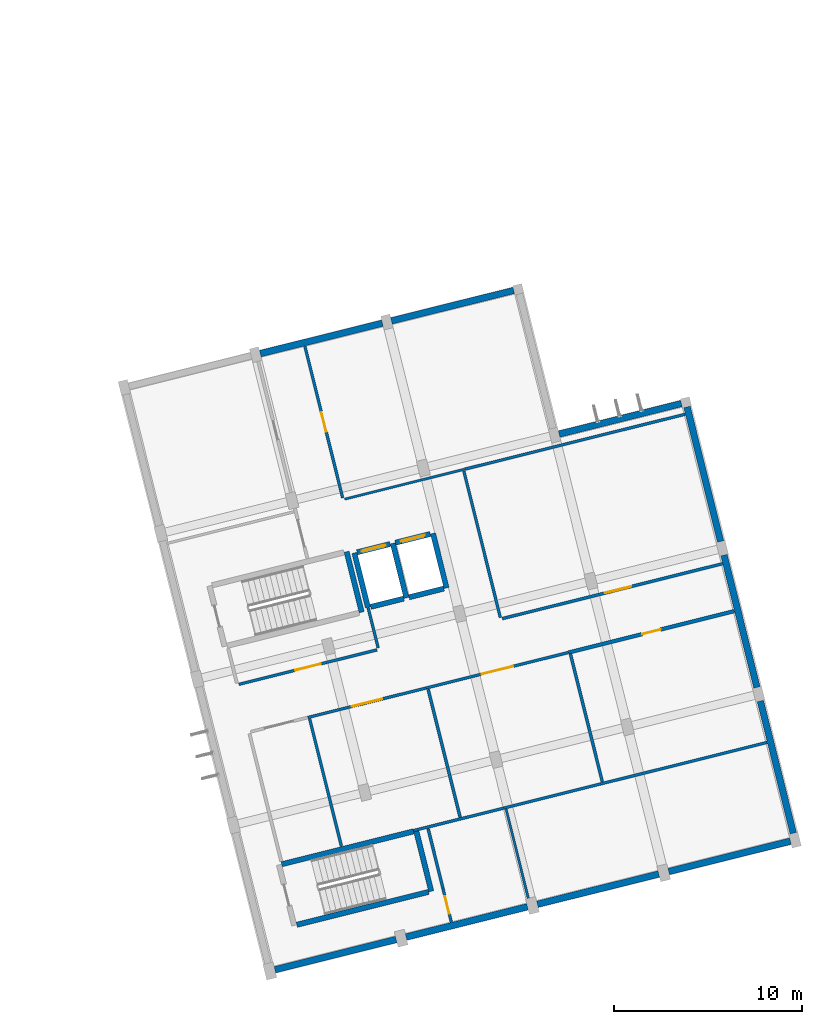
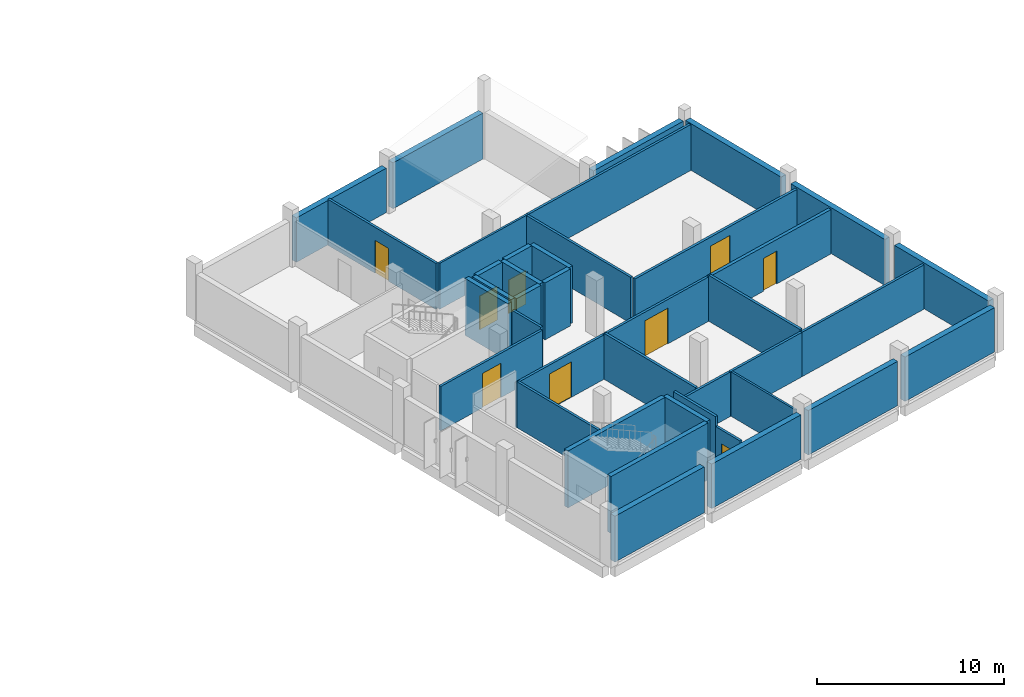
# One storey, part 11 of 21: 40 walls, 9 doors, 9 openings.
"""IFC4 building model written with IfcOpenShell, lengths in metres."""

from ifc_helpers import new_model, si_unit, direction, frame, frame_2d, origin, place, context, subcontext, project, spatial, rectangle, extrude, material, layer, layer_set, type_object, element, fill, save


model = new_model("IFC4")

# Units and contexts
model_context = context("Model", 3, precision=1e-05, world=origin(), true_north=direction((0.0, 1.0)))
body_context = subcontext(model_context, "Body", "Model", "MODEL_VIEW")
ifc_project = project(units=[si_unit("LENGTHUNIT", "METRE"), si_unit("AREAUNIT", "SQUARE_METRE"), si_unit("VOLUMEUNIT", "CUBIC_METRE"), si_unit("PLANEANGLEUNIT", "RADIAN"), si_unit("MASSUNIT", "GRAM", prefix="KILO")], contexts=[model_context])

# Site, building, storey
site_placement = place(None, origin())
site = spatial("IfcSite", under=ifc_project, at=site_placement, CompositionType="ELEMENT")
building_placement = place(site_placement, origin())
building = spatial("IfcBuilding", under=site, at=building_placement, Name="Mawjan Specialist Oncology Clinic", CompositionType="ELEMENT")
storey_placement = place(building_placement, frame((0.0, 0.0, 13.5)))
storey = spatial("IfcBuildingStorey", under=building, at=storey_placement, Name="L03", CompositionType="ELEMENT", Elevation=13.5)

# Walls
ifc_material_1 = material(Name="Precast concrete C40/50", Category="concrete")
ifc_layer_1 = layer(ifc_material_1, 0.35009765625, Name="Precast concrete C40/50", Category="concrete")
ifc_layer_set_1 = layer_set([ifc_layer_1], Name="Precast concrete C40/50")
wall_type_1 = type_object("IfcWallType", Name="EW-350", PredefinedType="SOLIDWALL", material=ifc_layer_set_1)
wall_1_placement = place(storey_placement, frame((141.394775390625, 29.373046875, 0.0), z_axis=(0.0, 0.0, 1.0), x_axis=(0.970296633454, 0.241918257079, 0.0)))
element("IfcWall", 1, at=wall_1_placement, inside=storey, type_object=wall_type_1, Name="L03 Coral-Limestone Exterior Wall EW-L03-255", PredefinedType="SOLIDWALL", context=body_context, shape_type="SweptSolid", body=[
    extrude(rectangle(XDim=6.699951171875, YDim=0.35009765625, at=frame_2d((3.35009765625, 0.0))), origin(), (0.0, 0.0, 1.0), 3.0048828125),
])
wall_2_placement = place(storey_placement, frame((148.198974609375, 30.811767578125, 0.0), z_axis=(0.0, 0.0, 1.0), x_axis=(0.241928011715, -0.970294201337, 0.0)))
element("IfcWall", 2, at=wall_2_placement, inside=storey, type_object=wall_type_1, Name="L03 Coral-Limestone Exterior Wall EW-L03-256", PredefinedType="SOLIDWALL", context=body_context, shape_type="SweptSolid", body=[
    extrude(rectangle(XDim=7.374755859375, YDim=0.35009765625, at=frame_2d((3.6875, 0.0))), origin(), (0.0, 0.0, 1.0), 3.054931640625),
])
for number, where, z_axis, x_axis, name in (
    (3, (150.16455078125, 22.92822265625, 0.0), (0.0, 0.0, 1.0), (0.241917549853, -0.970296809782, 0.0), "L03 Coral-Limestone Exterior Wall EW-L03-257"),
    (4, (152.099853515625, 15.165771484375, 0.0), (0.0, 0.0, 1.0), (0.241917549853, -0.970296809782, 0.0), "L03 Coral-Limestone Exterior Wall EW-L03-258"),
):
    element("IfcWall", number, at=place(storey_placement, frame(where, z_axis=z_axis, x_axis=x_axis)), inside=storey, type_object=wall_type_1, Name=name, PredefinedType="SOLIDWALL", context=body_context, shape_type="SweptSolid", body=[
        extrude(rectangle(XDim=7.25, YDim=0.35009765625, at=frame_2d((3.625, 0.0))), origin(), (0.0, 0.0, 1.0), 3.0048828125),
    ])
wall_3_placement = place(storey_placement, frame((153.701904296875, 7.706787109375, 0.0), z_axis=(0.0, 0.0, 1.0), x_axis=(-0.970299354279, -0.241907344009, 0.0)))
element("IfcWall", 5, at=wall_3_placement, inside=storey, type_object=wall_type_1, Name="L03 Coral-Limestone Exterior Wall EW-L03-259", PredefinedType="SOLIDWALL", context=body_context, shape_type="SweptSolid", body=[
    extrude(rectangle(XDim=6.675048828125, YDim=0.35009765625, at=frame_2d((3.33740234375, 0.0))), origin(), (0.0, 0.0, 1.0), 2.905029296875),
])
wall_4_placement = place(storey_placement, frame((146.691650390625, 5.958984375, 0.0), z_axis=(0.0, 0.0, 1.0), x_axis=(-0.970293478038, -0.24193091261, 0.0)))
element("IfcWall", 6, at=wall_4_placement, inside=storey, type_object=wall_type_1, Name="L03 Coral-Limestone Exterior Wall EW-L03-260", PredefinedType="SOLIDWALL", context=body_context, shape_type="SweptSolid", body=[
    extrude(rectangle(XDim=6.650146484375, YDim=0.35009765625, at=frame_2d((3.3251953125, 0.0))), origin(), (0.0, 0.0, 1.0), 2.905029296875),
])
wall_5_placement = place(storey_placement, frame((139.705322265625, 4.217041015625, 0.0), z_axis=(0.0, 0.0, 1.0), x_axis=(-0.970299947095, -0.241904966189, 0.0)))
element("IfcWall", 7, at=wall_5_placement, inside=storey, type_object=wall_type_1, Name="L03 Coral-Limestone Exterior Wall EW-L03-261", PredefinedType="SOLIDWALL", context=body_context, shape_type="SweptSolid", body=[
    extrude(rectangle(XDim=6.64990234375, YDim=0.35009765625, at=frame_2d((3.324951171875, 0.0))), origin(), (0.0, 0.0, 1.0), 2.905029296875),
])
wall_6_placement = place(storey_placement, frame((132.71923828125, 2.475341796875, 0.0), z_axis=(0.0, 0.0, 1.0), x_axis=(-0.97029132916, -0.241939530787, 0.0)))
element("IfcWall", 8, at=wall_6_placement, inside=storey, type_object=wall_type_1, Name="L03 Coral-Limestone Exterior Wall EW-L03-262", PredefinedType="SOLIDWALL", context=body_context, shape_type="SweptSolid", body=[
    extrude(rectangle(XDim=6.64990234375, YDim=0.35009765625, at=frame_2d((3.324951171875, 0.0))), origin(), (0.0, 0.0, 1.0), 3.0048828125),
])
wall_7_placement = place(storey_placement, frame((125.4873046875, 33.65185546875, 0.0), z_axis=(0.0, 0.0, 1.0), x_axis=(0.970296633454, 0.241918257079, 0.0)))
element("IfcWall", 9, at=wall_7_placement, inside=storey, type_object=wall_type_1, Name="L03 Coral-Limestone Exterior Wall EW-L03-268", PredefinedType="SOLIDWALL", context=body_context, shape_type="SweptSolid", body=[
    extrude(rectangle(XDim=6.699951171875, YDim=0.35009765625, at=frame_2d((3.35009765625, 0.0))), origin(), (0.0, 0.0, 1.0), 2.905029296875),
])
wall_8_placement = place(storey_placement, frame((132.473388671875, 35.3935546875, 0.0), z_axis=(0.0, 0.0, 1.0), x_axis=(0.970296633454, 0.241918257079, 0.0)))
element("IfcWall", 10, at=wall_8_placement, inside=storey, type_object=wall_type_1, Name="L03 Coral-Limestone Exterior Wall EW-L03-269", PredefinedType="SOLIDWALL", context=body_context, shape_type="SweptSolid", body=[
    extrude(rectangle(XDim=6.699951171875, YDim=0.35009765625, at=frame_2d((3.35009765625, 0.0))), origin(), (0.0, 0.0, 1.0), 3.0048828125),
])
ifc_material_2 = material(Name="Concrete C45/55", Category="concrete")
ifc_layer_2 = layer(ifc_material_2, 0.280029296875, Name="Concrete C45/55", Category="concrete")
ifc_layer_set_2 = layer_set([ifc_layer_2], Name="Concrete C45/55")
wall_type_2 = type_object("IfcWallType", Name="SW-300", PredefinedType="SHEAR", material=ifc_layer_set_2)
wall_9_placement = place(storey_placement, frame((130.886962890625, 19.889404296875, 0.0), z_axis=(0.0, 0.0, 1.0), x_axis=(-0.241947258837, 0.970289402158, 0.0)))
element("IfcWall", 11, at=wall_9_placement, inside=storey, type_object=wall_type_2, Name="L03 Core K5 Stair Shear Wall 2", PredefinedType="SHEAR", context=body_context, shape_type="SweptSolid", body=[
    extrude(rectangle(XDim=3.31982421875, YDim=0.280029296875, at=frame_2d((1.659912109375, 0.0))), origin(), (0.0, 0.0, 1.0), 3.719970703125),
])
wall_10_placement = place(storey_placement, frame((131.36328125, 20.17578125, 0.0), z_axis=(0.0, 0.0, 1.0), x_axis=(0.970284587517, 0.241966566341, 0.0)))
element("IfcWall", 12, at=wall_10_placement, inside=storey, type_object=wall_type_2, Name="L03 LF-01 Hoistway Wall 1", PredefinedType="SHEAR", context=body_context, shape_type="SweptSolid", body=[
    extrude(rectangle(XDim=1.817138671875, YDim=0.280029296875, at=frame_2d((0.90869140625, 0.0))), origin(), (0.0, 0.0, 1.0), 3.719970703125),
])
wall_11_placement = place(storey_placement, frame((133.26708984375, 20.650634765625, 0.0), z_axis=(0.0, 0.0, 1.0), x_axis=(-0.241921647353, 0.970295788171, 0.0)))
element("IfcWall", 13, at=wall_11_placement, inside=storey, type_object=wall_type_2, Name="L03 LF-01 Hoistway Wall 2", PredefinedType="SHEAR", context=body_context, shape_type="SweptSolid", body=[
    extrude(rectangle(XDim=2.994140625, YDim=0.280029296875, at=frame_2d((1.4970703125, 0.0))), origin(), (0.0, 0.0, 1.0), 3.719970703125),
])

# Wall, opening, door
wall_12_placement = place(storey_placement, frame((132.402099609375, 23.52099609375, 0.0), z_axis=(0.0, 0.0, 1.0), x_axis=(-0.970284587517, -0.241966566341, 0.0)))
wall_12 = element("IfcWall", 14, at=wall_12_placement, inside=storey, type_object=wall_type_2, Name="L03 LF-01 Hoistway Wall 3", PredefinedType="SHEAR", context=body_context, shape_type="SweptSolid", body=[
    extrude(rectangle(XDim=1.817138671875, YDim=0.280029296875, at=frame_2d((0.90869140625, 0.0))), origin(), (0.0, 0.0, 1.0), 3.719970703125),
])
opening_1_placement = place(wall_12_placement, frame((0.258544921875, 0.0, 0.0)))
opening_1 = element("IfcOpeningElement", 15, at=opening_1_placement, cuts=wall_12, Name="Opening LD-01-L03", PredefinedType="OPENING", context=body_context, shape_type="SweptSolid", body=[
    extrude(rectangle(XDim=1.300048828125, YDim=2.199951171875, at=frame_2d((0.64990234375, 1.10009765625))), frame((0.0, 0.152099609375, 0.0), z_axis=(0.0, -1.0, 0.0), x_axis=(1.0, 0.0, 0.0)), (0.0, 0.0, 1.0), 0.303955078125),
])
ifc_material_3 = material(Name="Stainless-steel fire-rated hospital door", Category="steel")
door_type_1 = type_object("IfcDoorType", Name="LD-130", OperationType="SLIDING_TO_LEFT", PredefinedType="DOOR", material=ifc_material_3)
door_1_placement = place(opening_1_placement, origin())
door_1 = element("IfcDoor", 16, at=door_1_placement, inside=storey, type_object=door_type_1, Name="L03 LF-01 Sliding Lift Landing Door", OperationType="SLIDING_TO_LEFT", OverallHeight=2.199951171875, OverallWidth=1.300048828125, PredefinedType="DOOR", context=body_context, shape_type="SweptSolid", body=[
    extrude(rectangle(XDim=1.300048828125, YDim=2.199951171875, at=frame_2d((0.64990234375, 1.10009765625))), frame((0.0, 0.02490234375, 0.0), z_axis=(0.0, -1.0, 0.0), x_axis=(1.0, 0.0, 0.0)), (0.0, 0.0, 1.0), 0.050048828125),
])
fill(opening_1, door_1)

# Walls
wall_13_placement = place(storey_placement, frame((130.498291015625, 23.046142578125, 0.0), z_axis=(0.0, 0.0, 1.0), x_axis=(0.241921647353, -0.970295788171, 0.0)))
element("IfcWall", 17, at=wall_13_placement, inside=storey, type_object=wall_type_2, Name="L03 LF-01 Hoistway Wall 4", PredefinedType="SHEAR", context=body_context, shape_type="SweptSolid", body=[
    extrude(rectangle(XDim=2.994140625, YDim=0.280029296875, at=frame_2d((1.4970703125, 0.0))), origin(), (0.0, 0.0, 1.0), 3.719970703125),
])
wall_14_placement = place(storey_placement, frame((133.407958984375, 20.685546875, 0.0), z_axis=(0.0, 0.0, 1.0), x_axis=(0.970285190026, 0.241964150272, 0.0)))
element("IfcWall", 18, at=wall_14_placement, inside=storey, type_object=wall_type_2, Name="L03 LF-02 Hoistway Wall 1", PredefinedType="SHEAR", context=body_context, shape_type="SweptSolid", body=[
    extrude(rectangle(XDim=1.909912109375, YDim=0.280029296875, at=frame_2d((0.955078125, 0.0))), origin(), (0.0, 0.0, 1.0), 3.719970703125),
])
wall_15_placement = place(storey_placement, frame((135.40185546875, 21.182861328125, 0.0), z_axis=(0.0, 0.0, 1.0), x_axis=(-0.241921647353, 0.970295788171, 0.0)))
element("IfcWall", 19, at=wall_15_placement, inside=storey, type_object=wall_type_2, Name="L03 LF-02 Hoistway Wall 2", PredefinedType="SHEAR", context=body_context, shape_type="SweptSolid", body=[
    extrude(rectangle(XDim=2.994140625, YDim=0.280029296875, at=frame_2d((1.4970703125, 0.0))), origin(), (0.0, 0.0, 1.0), 3.719970703125),
])

# Wall, opening, door
wall_16_placement = place(storey_placement, frame((134.53662109375, 24.05322265625, 0.0), z_axis=(0.0, 0.0, 1.0), x_axis=(-0.970285190026, -0.241964150272, 0.0)))
wall_16 = element("IfcWall", 20, at=wall_16_placement, inside=storey, type_object=wall_type_2, Name="L03 LF-02 Hoistway Wall 3", PredefinedType="SHEAR", context=body_context, shape_type="SweptSolid", body=[
    extrude(rectangle(XDim=1.909912109375, YDim=0.280029296875, at=frame_2d((0.955078125, 0.0))), origin(), (0.0, 0.0, 1.0), 3.719970703125),
])
opening_2_placement = place(wall_16_placement, frame((0.304931640625, 0.0, 0.0)))
opening_2 = element("IfcOpeningElement", 21, at=opening_2_placement, cuts=wall_16, Name="Opening LD-02-L03", PredefinedType="OPENING", context=body_context, shape_type="SweptSolid", body=[
    extrude(rectangle(XDim=1.300048828125, YDim=2.199951171875, at=frame_2d((0.64990234375, 1.10009765625))), frame((0.0, 0.152099609375, 0.0), z_axis=(0.0, -1.0, 0.0), x_axis=(1.0, 0.0, 0.0)), (0.0, 0.0, 1.0), 0.303955078125),
])
door_2_placement = place(opening_2_placement, origin())
door_2 = element("IfcDoor", 22, at=door_2_placement, inside=storey, type_object=door_type_1, Name="L03 LF-02 Sliding Lift Landing Door", OperationType="SLIDING_TO_RIGHT", OverallHeight=2.199951171875, OverallWidth=1.300048828125, PredefinedType="DOOR", context=body_context, shape_type="SweptSolid", body=[
    extrude(rectangle(XDim=1.300048828125, YDim=2.199951171875, at=frame_2d((0.64990234375, 1.10009765625))), frame((0.0, 0.02490234375, 0.0), z_axis=(0.0, -1.0, 0.0), x_axis=(1.0, 0.0, 0.0)), (0.0, 0.0, 1.0), 0.050048828125),
])
fill(opening_2, door_2)

# Walls
wall_17_placement = place(storey_placement, frame((127.4326171875, 3.259521484375, 0.0), z_axis=(0.0, 0.0, 1.0), x_axis=(0.970289312034, 0.241947620266, 0.0)))
element("IfcWall", 23, at=wall_17_placement, inside=storey, type_object=wall_type_2, Name="L03 Core K6 Stair Shear Wall 1", PredefinedType="SHEAR", context=body_context, shape_type="SweptSolid", body=[
    extrude(rectangle(XDim=7.22998046875, YDim=0.280029296875, at=frame_2d((3.614990234375, 0.0))), origin(), (0.0, 0.0, 1.0), 3.719970703125),
])
wall_18_placement = place(storey_placement, frame((134.58837890625, 5.043701171875, 0.0), z_axis=(0.0, 0.0, 1.0), x_axis=(-0.241929995817, 0.970293706629, 0.0)))
element("IfcWall", 24, at=wall_18_placement, inside=storey, type_object=wall_type_2, Name="L03 Core K6 Stair Shear Wall 2", PredefinedType="SHEAR", context=body_context, shape_type="SweptSolid", body=[
    extrude(rectangle(XDim=3.320068359375, YDim=0.280029296875, at=frame_2d((1.66015625, 0.0))), origin(), (0.0, 0.0, 1.0), 3.719970703125),
])
wall_19_placement = place(storey_placement, frame((133.64453125, 8.22998046875, 0.0), z_axis=(0.0, 0.0, 1.0), x_axis=(-0.970297238923, -0.241915828623, 0.0)))
element("IfcWall", 25, at=wall_19_placement, inside=storey, type_object=wall_type_2, Name="L03 Core K6 Stair Shear Wall 3", PredefinedType="SHEAR", context=body_context, shape_type="SweptSolid", body=[
    extrude(rectangle(XDim=7.22998046875, YDim=0.280029296875, at=frame_2d((3.614990234375, 0.0))), origin(), (0.0, 0.0, 1.0), 3.719970703125),
])
ifc_material_4 = material(Name="Moisture-resistant washroom partition", Category="gypsum")
ifc_layer_3 = layer(ifc_material_4, 0.125, Name="Moisture-resistant washroom partition", Category="gypsum")
ifc_layer_set_3 = layer_set([ifc_layer_3], Name="Moisture-resistant washroom partition")
wall_type_3 = type_object("IfcWallType", Name="WP-125", PredefinedType="PARTITIONING", material=ifc_layer_set_3)
wall_20_placement = place(storey_placement, frame((139.765869140625, 4.615478515625, 0.0), z_axis=(0.0, 0.0, 1.0), x_axis=(-0.241908041606, 0.970299180359, 0.0)))
element("IfcWall", 26, at=wall_20_placement, inside=storey, type_object=wall_type_3, Name="L03 Interior Partition W-RINT-L03-RSE-E", PredefinedType="PARTITIONING", context=body_context, shape_type="SweptSolid", body=[
    extrude(rectangle(XDim=4.943115234375, YDim=0.125, at=frame_2d((2.4716796875, 0.0))), origin(), (0.0, 0.0, 1.0), 2.905029296875),
])
wall_21_placement = place(storey_placement, frame((129.97900390625, 25.908447265625, 0.0), z_axis=(0.0, 0.0, 1.0), x_axis=(0.970297075448, 0.241916484304, 0.0)))
element("IfcWall", 27, at=wall_21_placement, inside=storey, type_object=wall_type_3, Name="L03 Interior Partition W-RINT-L03-RNE1-S", PredefinedType="PARTITIONING", context=body_context, shape_type="SweptSolid", body=[
    extrude(rectangle(XDim=6.588134765625, YDim=0.125, at=frame_2d((3.2939453125, 0.0))), origin(), (0.0, 0.0, 1.0), 3.0048828125),
])

# Wall, opening, door
ifc_material_5 = material(Name="Acoustic gypsum clinical partition", Category="gypsum")
ifc_layer_4 = layer(ifc_material_5, 0.14990234375, Name="Acoustic gypsum clinical partition", Category="gypsum")
ifc_layer_set_4 = layer_set([ifc_layer_4], Name="Acoustic gypsum clinical partition")
wall_type_4 = type_object("IfcWallType", Name="WP-150", PredefinedType="PARTITIONING", material=ifc_layer_set_4)
wall_22_placement = place(storey_placement, frame((124.345947265625, 16.052978515625, 0.0), z_axis=(0.0, 0.0, 1.0), x_axis=(0.970295772287, 0.241921711059, 0.0)))
wall_22 = element("IfcWall", 28, at=wall_22_placement, inside=storey, type_object=wall_type_4, Name="L03 Interior Partition W-RINT-L03-RKS-S", PredefinedType="PARTITIONING", context=body_context, shape_type="SweptSolid", body=[
    extrude(rectangle(XDim=7.579833984375, YDim=0.14990234375, at=frame_2d((3.7900390625, 0.0))), origin(), (0.0, 0.0, 1.0), 2.905029296875),
])
opening_3_placement = place(wall_22_placement, frame((3.090087890625, 0.0, 0.0)))
opening_3 = element("IfcOpeningElement", 29, at=opening_3_placement, cuts=wall_22, Name="Opening DC-140", PredefinedType="OPENING", context=body_context, shape_type="SweptSolid", body=[
    extrude(rectangle(XDim=1.39990234375, YDim=2.25, at=frame_2d((0.699951171875, 1.125))), frame((0.0, 0.0869140625, 0.0), z_axis=(0.0, -1.0, 0.0), x_axis=(1.0, 0.0, 0.0)), (0.0, 0.0, 1.0), 0.173828125),
])
ifc_material_6 = material(Name="Acoustic laminate hospital door leaf", Category="wood")
door_type_2 = type_object("IfcDoorType", Name="DC-140", OperationType="NOTDEFINED", PredefinedType="DOOR", material=ifc_material_6)
door_3_placement = place(opening_3_placement, origin())
door_3 = element("IfcDoor", 30, at=door_3_placement, inside=storey, type_object=door_type_2, Name="L03 Research Clean Supply Room Door", OperationType="SINGLE_SWING_LEFT", OverallHeight=2.25, OverallWidth=1.39990234375, PredefinedType="DOOR", context=body_context, shape_type="SweptSolid", body=[
    extrude(rectangle(XDim=1.39990234375, YDim=2.25, at=frame_2d((0.699951171875, 1.125))), frame((0.0, 0.02490234375, 0.0), z_axis=(0.0, -1.0, 0.0), x_axis=(1.0, 0.0, 0.0)), (0.0, 0.0, 1.0), 0.050048828125),
])
fill(opening_3, door_3)

wall_23_placement = place(storey_placement, frame((135.65771484375, 3.400634765625, 0.0), z_axis=(0.0, 0.0, 1.0), x_axis=(-0.241923827719, 0.970295244543, 0.0)))
wall_23 = element("IfcWall", 31, at=wall_23_placement, inside=storey, type_object=wall_type_4, Name="L03 Interior Partition W-RINT-L03-RSE-W", PredefinedType="PARTITIONING", context=body_context, shape_type="SweptSolid", body=[
    extrude(rectangle(XDim=1.878173828125, YDim=0.14990234375, at=frame_2d((0.93896484375, 0.0))), origin(), (0.0, 0.0, 1.0), 3.054931640625),
])
opening_4_placement = place(wall_23_placement, frame((0.464111328125, 0.0, 0.0)))
opening_4 = element("IfcOpeningElement", 32, at=opening_4_placement, cuts=wall_23, Name="Opening DA-95", PredefinedType="OPENING", context=body_context, shape_type="SweptSolid", body=[
    extrude(rectangle(XDim=0.949951171875, YDim=2.14990234375, at=frame_2d((0.47509765625, 1.074951171875))), frame((0.0, 0.0869140625, 0.0), z_axis=(0.0, -1.0, 0.0), x_axis=(1.0, 0.0, 0.0)), (0.0, 0.0, 1.0), 0.173828125),
])
ifc_material_7 = material(Name="Acoustic laminate hospital door leaf", Category="wood")
door_type_3 = type_object("IfcDoorType", Name="DA-95", OperationType="NOTDEFINED", PredefinedType="DOOR", material=ifc_material_7)
door_4_placement = place(opening_4_placement, origin())
door_4 = element("IfcDoor", 33, at=door_4_placement, inside=storey, type_object=door_type_3, Name="L03 Clinical Protocol Review Office Door", OperationType="SINGLE_SWING_LEFT", OverallHeight=2.14990234375, OverallWidth=0.949951171875, PredefinedType="DOOR", context=body_context, shape_type="SweptSolid", body=[
    extrude(rectangle(XDim=0.949951171875, YDim=2.14990234375, at=frame_2d((0.47509765625, 1.074951171875))), frame((0.0, 0.02490234375, 0.0), z_axis=(0.0, -1.0, 0.0), x_axis=(1.0, 0.0, 0.0)), (0.0, 0.0, 1.0), 0.050048828125),
])
fill(opening_4, door_4)

wall_24_placement = place(storey_placement, frame((128.0234375, 14.290283203125, 0.0), z_axis=(0.0, 0.0, 1.0), x_axis=(0.970297244456, 0.24191580643, 0.0)))
wall_24 = element("IfcWall", 34, at=wall_24_placement, inside=storey, type_object=wall_type_4, Name="L03 Interior Partition W-RINT-L03-RAS2-N", PredefinedType="PARTITIONING", context=body_context, shape_type="SweptSolid", body=[
    extrude(rectangle(XDim=6.488037109375, YDim=0.14990234375, at=frame_2d((3.244140625, 0.0))), origin(), (0.0, 0.0, 1.0), 2.905029296875),
])
opening_5_placement = place(wall_24_placement, frame((2.4189453125, 0.0, 0.0)))
opening_5 = element("IfcOpeningElement", 35, at=opening_5_placement, cuts=wall_24, Name="Opening DC-165", PredefinedType="OPENING", context=body_context, shape_type="SweptSolid", body=[
    extrude(rectangle(XDim=1.64990234375, YDim=2.320068359375, at=frame_2d((0.824951171875, 1.16015625))), frame((0.0, 0.0869140625, 0.0), z_axis=(0.0, -1.0, 0.0), x_axis=(1.0, 0.0, 0.0)), (0.0, 0.0, 1.0), 0.173828125),
])
ifc_material_8 = material(Name="Acoustic laminate hospital door leaf", Category="wood")
door_type_4 = type_object("IfcDoorType", Name="DC-165", OperationType="NOTDEFINED", PredefinedType="DOOR", material=ifc_material_8)
door_5_placement = place(opening_5_placement, origin())
door_5 = element("IfcDoor", 36, at=door_5_placement, inside=storey, type_object=door_type_4, Name="L03 Biomarker Proteomics Laboratory Door", OperationType="SINGLE_SWING_RIGHT", OverallHeight=2.320068359375, OverallWidth=1.64990234375, PredefinedType="DOOR", context=body_context, shape_type="SweptSolid", body=[
    extrude(rectangle(XDim=1.64990234375, YDim=2.320068359375, at=frame_2d((0.824951171875, 1.16015625))), frame((0.0, 0.02490234375, 0.0), z_axis=(0.0, -1.0, 0.0), x_axis=(1.0, 0.0, 0.0)), (0.0, 0.0, 1.0), 0.050048828125),
])
fill(opening_5, door_5)

wall_25_placement = place(storey_placement, frame((134.330322265625, 15.86279296875, 0.0), z_axis=(0.0, 0.0, 1.0), x_axis=(0.970299035042, 0.241908624476, 0.0)))
wall_25 = element("IfcWall", 37, at=wall_25_placement, inside=storey, type_object=wall_type_4, Name="L03 Interior Partition W-RINT-L03-RBS3-N", PredefinedType="PARTITIONING", context=body_context, shape_type="SweptSolid", body=[
    extrude(rectangle(XDim=7.7880859375, YDim=0.14990234375, at=frame_2d((3.89404296875, 0.0))), origin(), (0.0, 0.0, 1.0), 2.905029296875),
])
opening_6_placement = place(wall_25_placement, frame((3.033935546875, 0.0, 0.0)))
opening_6 = element("IfcOpeningElement", 38, at=opening_6_placement, cuts=wall_25, Name="Opening DC-172", PredefinedType="OPENING", context=body_context, shape_type="SweptSolid", body=[
    extrude(rectangle(XDim=1.719970703125, YDim=2.340087890625, at=frame_2d((0.85986328125, 1.169921875))), frame((0.0, 0.0869140625, 0.0), z_axis=(0.0, -1.0, 0.0), x_axis=(1.0, 0.0, 0.0)), (0.0, 0.0, 1.0), 0.173828125),
])
ifc_material_9 = material(Name="Acoustic laminate hospital door leaf", Category="wood")
door_type_5 = type_object("IfcDoorType", Name="DC-172", OperationType="NOTDEFINED", PredefinedType="DOOR", material=ifc_material_9)
door_6_placement = place(opening_6_placement, origin())
door_6 = element("IfcDoor", 39, at=door_6_placement, inside=storey, type_object=door_type_5, Name="L03 Cell Culture Cleanroom Lab Door", OperationType="SINGLE_SWING_LEFT", OverallHeight=2.340087890625, OverallWidth=1.719970703125, PredefinedType="DOOR", context=body_context, shape_type="SweptSolid", body=[
    extrude(rectangle(XDim=1.719970703125, YDim=2.340087890625, at=frame_2d((0.85986328125, 1.169921875))), frame((0.0, 0.02490234375, 0.0), z_axis=(0.0, -1.0, 0.0), x_axis=(1.0, 0.0, 0.0)), (0.0, 0.0, 1.0), 0.050048828125),
])
fill(opening_6, door_6)

wall_26_placement = place(storey_placement, frame((129.8759765625, 25.97021484375, 0.0), z_axis=(0.0, 0.0, 1.0), x_axis=(-0.241935486341, 0.970292337623, 0.0)))
wall_26 = element("IfcWall", 40, at=wall_26_placement, inside=storey, type_object=wall_type_4, Name="L03 Interior Partition W-RINT-L03-RNE1-W", PredefinedType="PARTITIONING", context=body_context, shape_type="SweptSolid", body=[
    extrude(rectangle(XDim=8.328125, YDim=0.14990234375, at=frame_2d((4.1640625, 0.0))), origin(), (0.0, 0.0, 1.0), 3.0048828125),
])
opening_7_placement = place(wall_26_placement, frame((3.638916015625, 0.0, 0.0)))
opening_7 = element("IfcOpeningElement", 41, at=opening_7_placement, cuts=wall_26, Name="Opening DI-105", PredefinedType="OPENING", context=body_context, shape_type="SweptSolid", body=[
    extrude(rectangle(XDim=1.050048828125, YDim=2.14990234375, at=frame_2d((0.52490234375, 1.074951171875))), frame((0.0, 0.0869140625, 0.0), z_axis=(0.0, -1.0, 0.0), x_axis=(1.0, 0.0, 0.0)), (0.0, 0.0, 1.0), 0.173828125),
])
ifc_material_10 = material(Name="Acoustic laminate hospital door leaf", Category="wood")
door_type_6 = type_object("IfcDoorType", Name="DI-105", OperationType="NOTDEFINED", PredefinedType="DOOR", material=ifc_material_10)
door_7_placement = place(opening_7_placement, origin())
door_7 = element("IfcDoor", 42, at=door_7_placement, inside=storey, type_object=door_type_6, Name="L03 Molecular Diagnostics Wet Lab Door", OperationType="SINGLE_SWING_RIGHT", OverallHeight=2.14990234375, OverallWidth=1.050048828125, PredefinedType="DOOR", context=body_context, shape_type="SweptSolid", body=[
    extrude(rectangle(XDim=1.050048828125, YDim=2.14990234375, at=frame_2d((0.52490234375, 1.074951171875))), frame((0.0, 0.02490234375, 0.0), z_axis=(0.0, -1.0, 0.0), x_axis=(1.0, 0.0, 0.0)), (0.0, 0.0, 1.0), 0.050048828125),
])
fill(opening_7, door_7)

# Walls
wall_27_placement = place(storey_placement, frame((131.7626953125, 17.98974609375, 0.0), z_axis=(0.0, 0.0, 1.0), x_axis=(-0.241962612769, 0.970285573438, 0.0)))
element("IfcWall", 43, at=wall_27_placement, inside=storey, type_object=wall_type_4, Name="L03 Interior Partition W-RINT-L03-RKS-E", PredefinedType="PARTITIONING", context=body_context, shape_type="SweptSolid", body=[
    extrude(rectangle(XDim=2.20556640625, YDim=0.14990234375, at=frame_2d((1.102783203125, 0.0))), origin(), (0.0, 0.0, 1.0), 3.0048828125),
])
wall_28_placement = place(storey_placement, frame((133.646484375, 8.271728515625, 0.0), z_axis=(0.0, 0.0, 1.0), x_axis=(0.970295511907, 0.241922755387, 0.0)))
element("IfcWall", 44, at=wall_28_placement, inside=storey, type_object=wall_type_4, Name="L03 Interior Partition W-RINT-L03-RSE-N", PredefinedType="PARTITIONING", context=body_context, shape_type="SweptSolid", body=[
    extrude(rectangle(XDim=4.968017578125, YDim=0.14990234375, at=frame_2d((2.48388671875, 0.0))), origin(), (0.0, 0.0, 1.0), 2.905029296875),
])
wall_29_placement = place(storey_placement, frame((129.80908203125, 7.430419921875, 0.0), z_axis=(0.0, 0.0, 1.0), x_axis=(-0.241911968874, 0.970298201233, 0.0)))
element("IfcWall", 45, at=wall_29_placement, inside=storey, type_object=wall_type_4, Name="L03 Interior Partition W-RINT-L03-RAS1-E", PredefinedType="PARTITIONING", context=body_context, shape_type="SweptSolid", body=[
    extrude(rectangle(XDim=7.0009765625, YDim=0.14990234375, at=frame_2d((3.50048828125, 0.0))), origin(), (0.0, 0.0, 1.0), 3.0048828125),
])
wall_30_placement = place(storey_placement, frame((138.478515625, 9.4765625, 0.0), z_axis=(0.0, 0.0, 1.0), x_axis=(0.970293821184, 0.241929536378, 0.0)))
element("IfcWall", 46, at=wall_30_placement, inside=storey, type_object=wall_type_4, Name="L03 Interior Partition W-RINT-L03-RBS3-S", PredefinedType="PARTITIONING", context=body_context, shape_type="SweptSolid", body=[
    extrude(rectangle(XDim=5.30810546875, YDim=0.14990234375, at=frame_2d((2.654052734375, 0.0))), origin(), (0.0, 0.0, 1.0), 2.905029296875),
])
wall_31_placement = place(storey_placement, frame((143.640625, 10.763671875, 0.0), z_axis=(0.0, 0.0, 1.0), x_axis=(0.970298775858, 0.241909664065, 0.0)))
element("IfcWall", 47, at=wall_31_placement, inside=storey, type_object=wall_type_4, Name="L03 Interior Partition W-RINT-L03-RCS4-S", PredefinedType="PARTITIONING", context=body_context, shape_type="SweptSolid", body=[
    extrude(rectangle(XDim=9.0859375, YDim=0.14990234375, at=frame_2d((4.54296875, 0.0))), origin(), (0.0, 0.0, 1.0), 2.905029296875),
])
wall_32_placement = place(storey_placement, frame((136.3828125, 27.505126953125, 0.0), z_axis=(0.0, 0.0, 1.0), x_axis=(0.970296878284, 0.241917275099, 0.0)))
element("IfcWall", 48, at=wall_32_placement, inside=storey, type_object=wall_type_4, Name="L03 Interior Partition W-RINT-L03-RDE1-N", PredefinedType="PARTITIONING", context=body_context, shape_type="SweptSolid", body=[
    extrude(rectangle(XDim=12.077880859375, YDim=0.14990234375, at=frame_2d((6.0390625, 0.0))), origin(), (0.0, 0.0, 1.0), 3.0048828125),
])
wall_33_placement = place(storey_placement, frame((138.263671875, 19.610595703125, 0.0), z_axis=(0.0, 0.0, 1.0), x_axis=(-0.241920353256, 0.970296110824, 0.0)))
element("IfcWall", 49, at=wall_33_placement, inside=storey, type_object=wall_type_4, Name="L03 Interior Partition W-RINT-L03-RDE1-W", PredefinedType="PARTITIONING", context=body_context, shape_type="SweptSolid", body=[
    extrude(rectangle(XDim=8.030029296875, YDim=0.14990234375, at=frame_2d((4.01513671875, 0.0))), origin(), (0.0, 0.0, 1.0), 3.0048828125),
])

# Wall, opening, door
ifc_material_11 = material(Name="Acoustic clinical twin-stud partition", Category="gypsum")
ifc_layer_5 = layer(ifc_material_11, 0.159912109375, Name="Acoustic clinical twin-stud partition", Category="gypsum")
ifc_layer_set_5 = layer_set([ifc_layer_5], Name="Acoustic clinical twin-stud partition")
wall_type_5 = type_object("IfcWallType", Name="WP-160", PredefinedType="PARTITIONING", material=ifc_layer_set_5)
wall_34_placement = place(storey_placement, frame((138.36669921875, 19.548583984375, 0.0), z_axis=(0.0, 0.0, 1.0), x_axis=(0.970292133333, 0.241936305651, 0.0)))
wall_34 = element("IfcWall", 50, at=wall_34_placement, inside=storey, type_object=wall_type_5, Name="L03 Interior Partition W-RINT-L03-RDE1-S", PredefinedType="PARTITIONING", context=body_context, shape_type="SweptSolid", body=[
    extrude(rectangle(XDim=12.078125, YDim=0.159912109375, at=frame_2d((6.0390625, 0.0))), origin(), (0.0, 0.0, 1.0), 2.905029296875),
])
opening_8_placement = place(wall_34_placement, frame((5.63818359375, 0.0, 0.0)))
opening_8 = element("IfcOpeningElement", 51, at=opening_8_placement, cuts=wall_34, Name="Opening DM-CT", PredefinedType="OPENING", context=body_context, shape_type="SweptSolid", body=[
    extrude(rectangle(XDim=1.43994140625, YDim=2.320068359375, at=frame_2d((0.719970703125, 1.16015625))), frame((0.0, 0.092041015625, 0.0), z_axis=(0.0, -1.0, 0.0), x_axis=(1.0, 0.0, 0.0)), (0.0, 0.0, 1.0), 0.183837890625),
])
ifc_material_12 = material(Name="Acoustic laminate hospital door leaf", Category="wood")
door_type_7 = type_object("IfcDoorType", Name="DM-CT", OperationType="NOTDEFINED", PredefinedType="DOOR", material=ifc_material_12)
door_8_placement = place(opening_8_placement, origin())
door_8 = element("IfcDoor", 52, at=door_8_placement, inside=storey, type_object=door_type_7, Name="L03 East Clinical Data Analysis Workspace Door", OperationType="SINGLE_SWING_RIGHT", OverallHeight=2.320068359375, OverallWidth=1.43994140625, PredefinedType="DOOR", context=body_context, shape_type="SweptSolid", body=[
    extrude(rectangle(XDim=1.43994140625, YDim=2.320068359375, at=frame_2d((0.719970703125, 1.16015625))), frame((0.0, 0.02490234375, 0.0), z_axis=(0.0, -1.0, 0.0), x_axis=(1.0, 0.0, 0.0)), (0.0, 0.0, 1.0), 0.050048828125),
])
fill(opening_8, door_8)

# Walls
wall_35_placement = place(storey_placement, frame((135.200439453125, 5.234619140625, 0.0), z_axis=(0.0, 0.0, 1.0), x_axis=(-0.241878748512, 0.970306483034, 0.0)))
element("IfcWall", 53, at=wall_35_placement, inside=storey, type_object=wall_type_5, Name="L03 Interior Partition W-RINT-L03-RSE-WB", PredefinedType="PARTITIONING", context=body_context, shape_type="SweptSolid", body=[
    extrude(rectangle(XDim=3.236083984375, YDim=0.159912109375, at=frame_2d((1.6181640625, 0.0))), origin(), (0.0, 0.0, 1.0), 3.699951171875),
])
wall_36_placement = place(storey_placement, frame((136.1220703125, 8.978759765625, 0.0), z_axis=(0.0, 0.0, 1.0), x_axis=(-0.241922359391, 0.97029561064, 0.0)))
element("IfcWall", 54, at=wall_36_placement, inside=storey, type_object=wall_type_5, Name="L03 Interior Partition W-RINT-L03-RAS2-E", PredefinedType="PARTITIONING", context=body_context, shape_type="SweptSolid", body=[
    extrude(rectangle(XDim=7.02587890625, YDim=0.159912109375, at=frame_2d((3.512939453125, 0.0))), origin(), (0.0, 0.0, 1.0), 3.0048828125),
])
wall_37_placement = place(storey_placement, frame((143.69091796875, 10.86376953125, 0.0), z_axis=(0.0, 0.0, 1.0), x_axis=(-0.241939954485, 0.970291223512, 0.0)))
element("IfcWall", 55, at=wall_37_placement, inside=storey, type_object=wall_type_5, Name="L03 Interior Partition W-RINT-L03-RBS3-E", PredefinedType="PARTITIONING", context=body_context, shape_type="SweptSolid", body=[
    extrude(rectangle(XDim=7.04052734375, YDim=0.159912109375, at=frame_2d((3.520263671875, 0.0))), origin(), (0.0, 0.0, 1.0), 3.0048828125),
])

# Wall, opening, door
ifc_material_13 = material(Name="Insulated fire-rated gypsum stud partition", Category="gypsum")
ifc_layer_6 = layer(ifc_material_13, 0.199951171875, Name="Insulated fire-rated gypsum stud partition", Category="gypsum")
ifc_layer_set_6 = layer_set([ifc_layer_6], Name="Insulated fire-rated gypsum stud partition")
wall_type_6 = type_object("IfcWallType", Name="WS-60", PredefinedType="PARTITIONING", material=ifc_layer_set_6)
wall_38_placement = place(storey_placement, frame((141.898681640625, 17.749755859375, 0.0), z_axis=(0.0, 0.0, 1.0), x_axis=(0.970298775858, 0.241909664065, 0.0)))
wall_38 = element("IfcWall", 56, at=wall_38_placement, inside=storey, type_object=wall_type_6, Name="L03 Interior Partition W-RINT-L03-RCS4-N", PredefinedType="PARTITIONING", context=body_context, shape_type="SweptSolid", body=[
    extrude(rectangle(XDim=9.0859375, YDim=0.199951171875, at=frame_2d((4.54296875, 0.0))), origin(), (0.0, 0.0, 1.0), 2.905029296875),
])
opening_9_placement = place(wall_38_placement, frame((4.04296875, 0.0, 0.0)))
opening_9 = element("IfcOpeningElement", 57, at=opening_9_placement, cuts=wall_38, Name="Opening DF-100", PredefinedType="OPENING", context=body_context, shape_type="SweptSolid", body=[
    extrude(rectangle(XDim=1.0, YDim=2.14990234375, at=frame_2d((0.5, 1.074951171875))), frame((0.0, 0.112060546875, 0.0), z_axis=(0.0, -1.0, 0.0), x_axis=(1.0, 0.0, 0.0)), (0.0, 0.0, 1.0), 0.223876953125),
])
ifc_material_14 = material(Name="Stainless-steel fire-rated hospital door", Category="steel")
door_type_8 = type_object("IfcDoorType", Name="DF-100", OperationType="NOTDEFINED", PredefinedType="DOOR", material=ifc_material_14)
door_9_placement = place(opening_9_placement, origin())
door_9 = element("IfcDoor", 58, at=door_9_placement, inside=storey, type_object=door_type_8, Name="L03 Microscopy Imaging Core Door", OperationType="SINGLE_SWING_LEFT", OverallHeight=2.14990234375, OverallWidth=1.0, PredefinedType="DOOR", context=body_context, shape_type="SweptSolid", body=[
    extrude(rectangle(XDim=1.0, YDim=2.14990234375, at=frame_2d((0.5, 1.074951171875))), frame((0.0, 0.02490234375, 0.0), z_axis=(0.0, -1.0, 0.0), x_axis=(1.0, 0.0, 0.0)), (0.0, 0.0, 1.0), 0.050048828125),
])
fill(opening_9, door_9)

save(model, "model.ifc")
